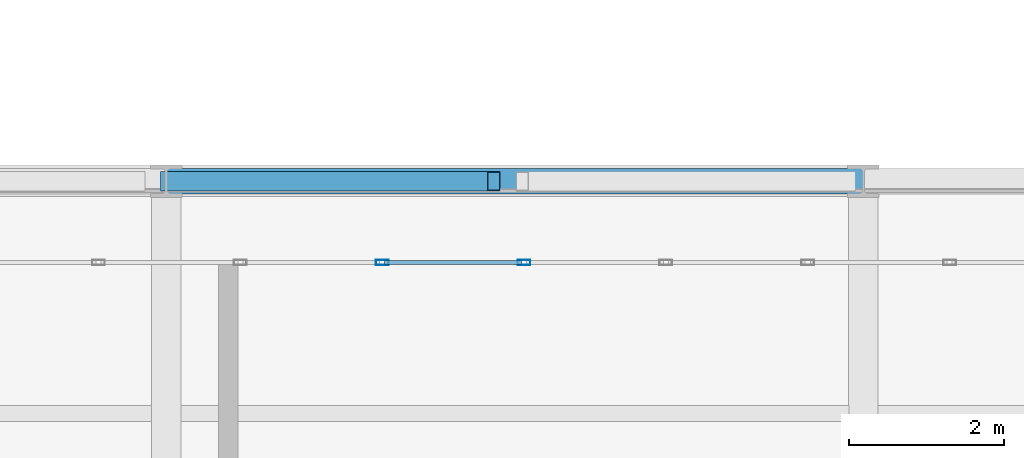
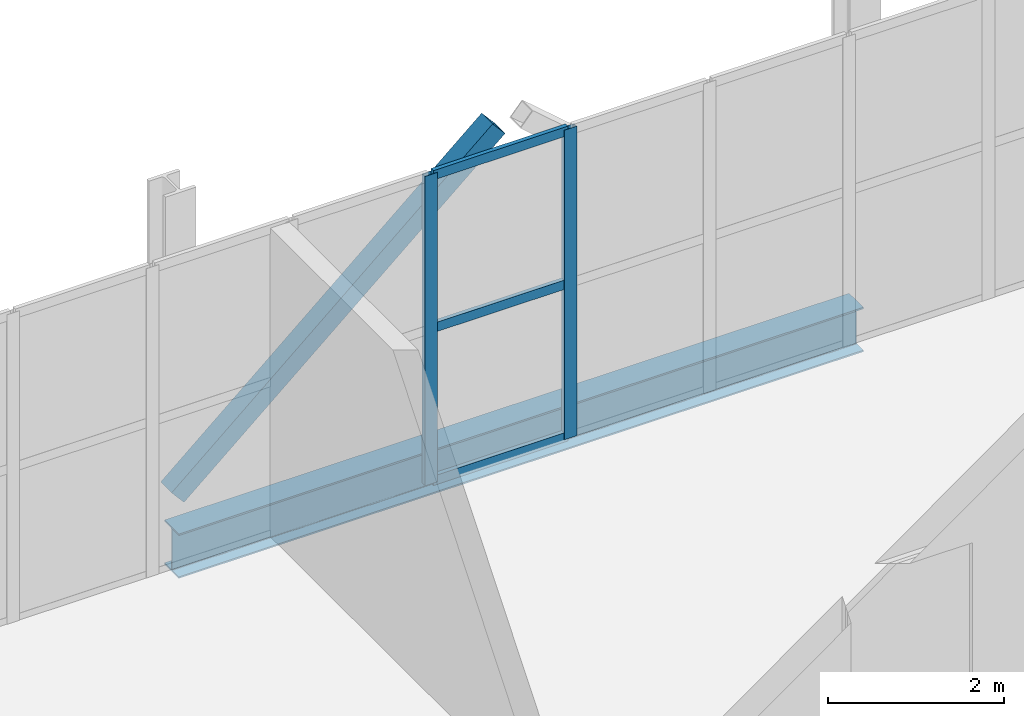
# One storey, part 8 of 26: 6 members, 1 beam, 1 element without a shape of its own.
"""IFC4 building model written with IfcOpenShell, lengths in metres."""

from ifc_helpers import new_model, si_unit, direction, frame, origin, origin_2d, place, context, subcontext, project, spatial, hollow_rectangle, i_section, extrude, material, layer, layer_set, material_profile, profile_set, type_object, element, aggregate, save


model = new_model("IFC4")

# Units and contexts
model_context = context("Model", 3, precision=1e-05, world=origin(), true_north=direction((0.0, 1.0)))
body_context = subcontext(model_context, "Body", "Model", "MODEL_VIEW")
ifc_project = project(units=[si_unit("LENGTHUNIT", "METRE"), si_unit("AREAUNIT", "SQUARE_METRE"), si_unit("VOLUMEUNIT", "CUBIC_METRE"), si_unit("PLANEANGLEUNIT", "RADIAN"), si_unit("MASSUNIT", "GRAM", prefix="KILO")], contexts=[model_context])

# Site, building, storey
site_placement = place(None, origin())
site = spatial("IfcSite", under=ifc_project, at=site_placement, CompositionType="ELEMENT")
building_placement = place(site_placement, origin())
building = spatial("IfcBuilding", under=site, at=building_placement, Name="Mawjdan Bourse Tower", CompositionType="ELEMENT")
storey_placement = place(building_placement, frame((0.0, 0.0, 226.800048828125)))
storey = spatial("IfcBuildingStorey", under=building, at=storey_placement, Name="L55", CompositionType="ELEMENT", Elevation=226.800048828125)

# Member
ifc_material_1 = material(Name="Structural Steel S355", Category="steel")
ifc_material_profile_1 = material_profile(ifc_material_1, hollow_rectangle(XDim=0.25, YDim=0.25, WallThickness=0.012451171875, at=origin_2d()), Name="HSS250X250X12.5")
ifc_profile_set_1 = profile_set([ifc_material_profile_1], Name="Structural Steel S355")
member_type_1 = type_object("IfcMemberType", Name="BRC-HSS250X250X12.5", PredefinedType="BRACE", material=ifc_profile_set_1)
member_1_placement = place(storey_placement, frame((33.008544921875, 21.0, 0.199951171875), z_axis=(0.756383065472, 0.0, 0.65412893092), x_axis=(0.0, 1.0, 0.0)))
element("IfcMember", 1, at=member_1_placement, inside=storey, type_object=member_type_1, Name="L55 East Outrigger Truss 2 Diagonal 3", PredefinedType="BRACE", context=body_context, shape_type="SweptSolid", body=[
    extrude(hollow_rectangle(XDim=0.25, YDim=0.25, WallThickness=0.012451171875, at=origin_2d()), origin(), (0.0, 0.0, 1.0), 5.579833984375),
])

# Curtain wall, members
ifc_material_2 = material(Name="Thermally Broken Aluminium and Solar Glass", Category="aluminium")
ifc_layer = layer(ifc_material_2, 0.219970703125)
ifc_layer_set = layer_set([ifc_layer], Name="Thermally Broken Aluminium and Solar Glass")
curtain_wall_type = type_object("IfcCurtainWallType", Name="CW-RFG", PredefinedType="USERDEFINED", material=ifc_layer_set)
curtain_wall_placement = place(storey_placement, origin())
curtain_wall = element("IfcCurtainWall", 2, at=curtain_wall_placement, inside=storey, type_object=curtain_wall_type, Name="L55 Refuge Band North Louvre Curtain Wall", ObjectType="REFUGE BAND LOUVRE SCREEN", PredefinedType="USERDEFINED")
ifc_material_3 = material(Name="Thermally Broken Anodised Aluminium", Category="aluminium")
ifc_material_profile_2 = material_profile(ifc_material_3, hollow_rectangle(XDim=0.06494140625, YDim=0.1650390625, WallThickness=0.00390625, at=origin_2d()), Name="ALU-MUL-165X65")
ifc_profile_set_2 = profile_set([ifc_material_profile_2], Name="Thermally Broken Anodised Aluminium")
member_type_2 = type_object("IfcMemberType", Name="MUL-ALU-MUL-165X65", PredefinedType="MULLION", material=ifc_profile_set_2)
member_2_placement = place(storey_placement, frame((37.61865234375, 19.949951171875, 0.0), z_axis=(0.0, 0.0, 1.0), x_axis=(0.0, -1.0, 0.0)))
member_2 = element("IfcMember", 3, at=member_2_placement, type_object=member_type_2, Name="CW-RFG-L55-RFG-N mullion 10", PredefinedType="MULLION", context=body_context, shape_type="SweptSolid", body=[
    extrude(hollow_rectangle(XDim=0.06494140625, YDim=0.1650390625, WallThickness=0.00390625, at=origin_2d()), origin(), (0.0, 0.0, 1.0), 4.300048828125),
])
member_3_placement = place(storey_placement, frame((35.78759765625, 19.949951171875, 0.0), z_axis=(0.0, 0.0, 1.0), x_axis=(0.0, -1.0, 0.0)))
member_3 = element("IfcMember", 4, at=member_3_placement, type_object=member_type_2, Name="CW-RFG-L55-RFG-N mullion 11", PredefinedType="MULLION", context=body_context, shape_type="SweptSolid", body=[
    extrude(hollow_rectangle(XDim=0.06494140625, YDim=0.1650390625, WallThickness=0.00390625, at=origin_2d()), origin(), (0.0, 0.0, 1.0), 4.300048828125),
])

# Beam
ifc_material_profile_3 = material_profile(ifc_material_1, i_section(OverallWidth=0.324951171875, OverallDepth=0.616943359375, WebThickness=0.013916015625, FlangeThickness=0.021484375, FilletRadius=0.017333984375, at=origin_2d()), Name="W24X117")
ifc_profile_set_3 = profile_set([ifc_material_profile_3], Name="Structural Steel S355")
beam_type = type_object("IfcBeamType", Name="SPN-W24X117", PredefinedType="SPANDREL", material=ifc_profile_set_3)
beam_placement = place(storey_placement, frame((33.0, 21.0, -0.588623046875), z_axis=(1.0, 0.0, 0.0), x_axis=(0.0, 1.0, 0.0)))
element("IfcBeam", 5, at=beam_placement, inside=storey, type_object=beam_type, Name="L55 Perimeter Masonry-Shelf Spandrel 013", PredefinedType="SPANDREL", context=body_context, shape_type="SweptSolid", body=[
    extrude(i_section(OverallWidth=0.324951171875, OverallDepth=0.616943359375, WebThickness=0.013916015625, FlangeThickness=0.021484375, FilletRadius=0.017333984375, at=origin_2d()), origin(), (0.0, 0.0, 1.0), 9.0),
])

# Member
ifc_material_profile_4 = material_profile(ifc_material_3, hollow_rectangle(XDim=0.054931640625, YDim=0.1298828125, WallThickness=0.00341796875, at=origin_2d()), Name="ALU-TRN-130X55")
ifc_profile_set_4 = profile_set([ifc_material_profile_4], Name="Thermally Broken Anodised Aluminium")
member_type_3 = type_object("IfcMemberType", Name="TRN-ALU-TRN-130X55", PredefinedType="USERDEFINED", material=ifc_profile_set_4)
member_4_placement = place(storey_placement, frame((37.586181640625, 19.949951171875, 0.02734375), z_axis=(-1.0, 0.0, 0.0), x_axis=(0.0, -1.0, 0.0)))
member_4 = element("IfcMember", 6, at=member_4_placement, type_object=member_type_3, Name="CW-RFG-L55-RFG-N transom 10.1", ObjectType="TRANSOM", PredefinedType="USERDEFINED", context=body_context, shape_type="SweptSolid", body=[
    extrude(hollow_rectangle(XDim=0.054931640625, YDim=0.1298828125, WallThickness=0.00341796875, at=origin_2d()), origin(), (0.0, 0.0, 1.0), 1.76611328125),
])

member_5_placement = place(storey_placement, frame((37.586181640625, 19.949951171875, 2.14990234375), z_axis=(-1.0, 0.0, 0.0), x_axis=(0.0, -1.0, 0.0)))
member_5 = element("IfcMember", 7, at=member_5_placement, type_object=member_type_3, Name="CW-RFG-L55-RFG-N transom 10.2", ObjectType="TRANSOM", PredefinedType="USERDEFINED", context=body_context, shape_type="SweptSolid", body=[
    extrude(hollow_rectangle(XDim=0.054931640625, YDim=0.1298828125, WallThickness=0.00341796875, at=origin_2d()), origin(), (0.0, 0.0, 1.0), 1.76611328125),
])

member_6_placement = place(storey_placement, frame((37.586181640625, 19.949951171875, 4.2724609375), z_axis=(-1.0, 0.0, 0.0), x_axis=(0.0, -1.0, 0.0)))
member_6 = element("IfcMember", 8, at=member_6_placement, type_object=member_type_3, Name="CW-RFG-L55-RFG-N transom 10.3", ObjectType="TRANSOM", PredefinedType="USERDEFINED", context=body_context, shape_type="SweptSolid", body=[
    extrude(hollow_rectangle(XDim=0.054931640625, YDim=0.1298828125, WallThickness=0.00341796875, at=origin_2d()), origin(), (0.0, 0.0, 1.0), 1.76611328125),
])

aggregate(curtain_wall, [member_2, member_3, member_4, member_5, member_6])

save(model, "model.ifc")
